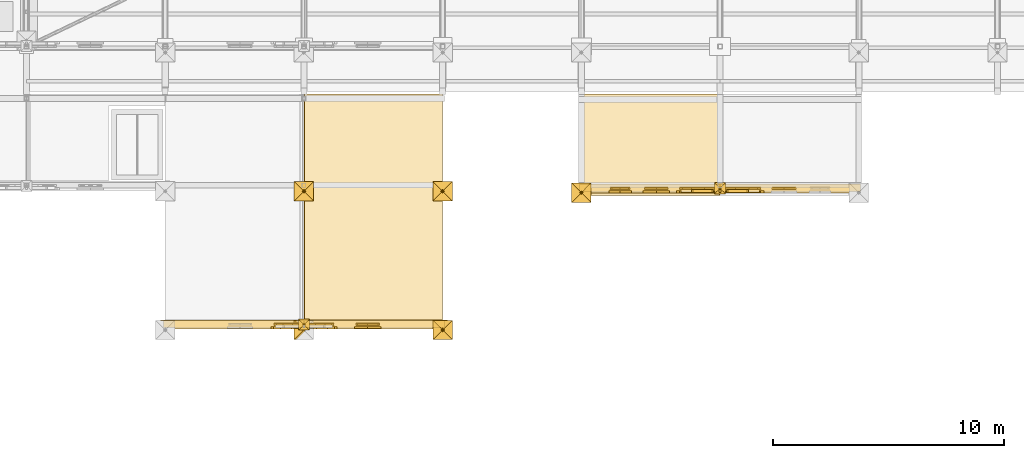
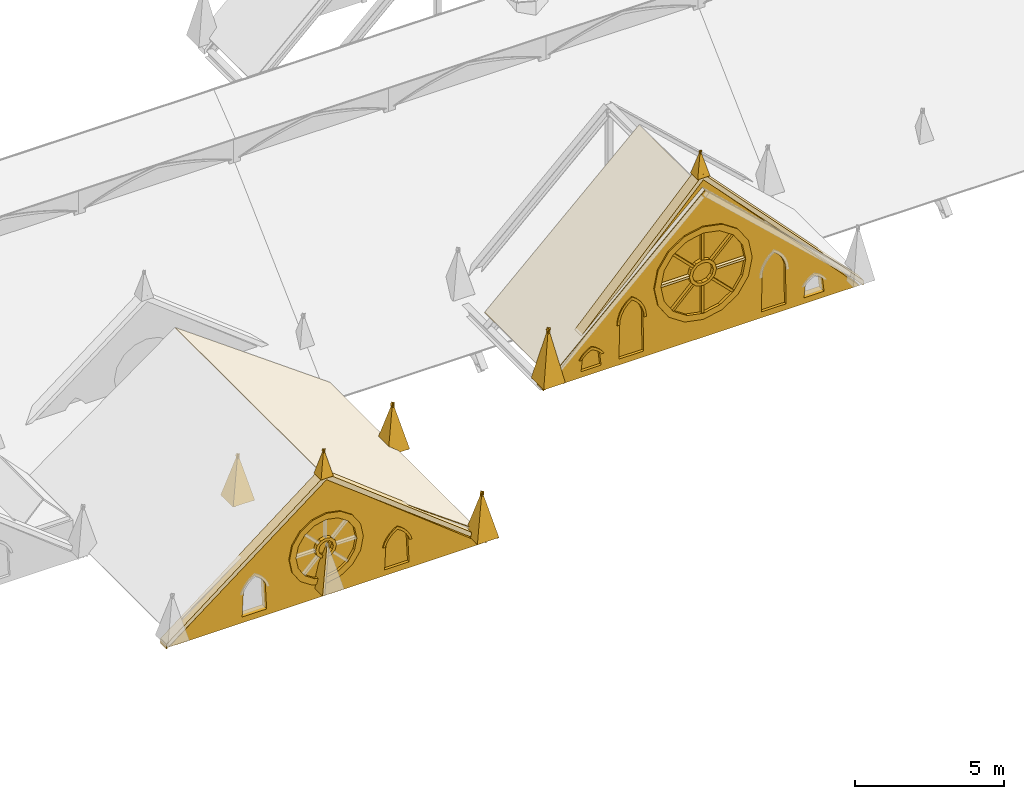
# One storey, part 28 of 33: 52 coverings.
"""IFC4 building model written with IfcOpenShell, lengths in metres."""

from ifc_helpers import new_model, si_unit, direction, frame, origin, place, context, subcontext, project, spatial, polyline, outline, extrude, material, type_object, element, save


model = new_model("IFC4")

# Units and contexts
model_context = context("Model", 3, precision=1e-05, world=origin(), true_north=direction((0.0, 1.0)))
body_context = subcontext(model_context, "Body", "Model", "MODEL_VIEW")
ifc_project = project(units=[si_unit("LENGTHUNIT", "METRE"), si_unit("AREAUNIT", "SQUARE_METRE"), si_unit("VOLUMEUNIT", "CUBIC_METRE"), si_unit("PLANEANGLEUNIT", "RADIAN"), si_unit("MASSUNIT", "GRAM", prefix="KILO")], contexts=[model_context])

# Site, building, storey
site_placement = place(None, origin())
site = spatial("IfcSite", under=ifc_project, at=site_placement, CompositionType="ELEMENT")
building_placement = place(site_placement, origin())
building = spatial("IfcBuilding", under=site, at=building_placement, Name="Cumevento Cable Car Station", CompositionType="ELEMENT")
storey_placement = place(building_placement, frame((0.0, 0.0, 22.5)))
storey = spatial("IfcBuildingStorey", under=building, at=storey_placement, Name="RF", CompositionType="ELEMENT", Elevation=22.5)

# Coverings
ifc_material_1 = material(Name="Standing-Seam Zinc-Titanium Roof Sheet", Category="steel")
covering_type_1 = type_object("IfcCoveringType", Name="Standing-Seam Zinc Roofing CV-RF01", PredefinedType="ROOFING", material=ifc_material_1)
covering_1_placement = place(storey_placement, frame((88.0, 42.949951171875, 1.20361328125), z_axis=(-0.682004625705, 0.0, 0.731347858762), x_axis=(0.0, -1.0, 0.0)))
element("IfcCovering", 1, at=covering_1_placement, inside=storey, type_object=covering_type_1, Name="Standing-Seam Zinc Roof Covering #21", PredefinedType="ROOFING", context=body_context, shape_type="SweptSolid", body=[
    extrude(outline(polyline([(0.0, 0.0), (4.39990234375, 0.0), (4.39990234375, 8.183667115676975), (0.0, 8.183667115676975), (0.0, 0.0)])), origin(), (0.0, 0.0, -1.0), 0.02587890625),
])
covering_2_placement = place(storey_placement, frame((76.014892578125, 42.949951171875, 4.772216796875), z_axis=(0.586959453772, 0.0, 0.809616328657), x_axis=(0.0, -1.0, 0.0)))
element("IfcCovering", 2, at=covering_2_placement, inside=storey, type_object=covering_type_1, Name="Standing-Seam Zinc Roof Covering #32", PredefinedType="ROOFING", context=body_context, shape_type="SweptSolid", body=[
    extrude(outline(polyline([(0.0, 0.0), (9.949951171875, 0.0), (9.949951171875, 7.392523112527002), (0.0, 7.392523112527002), (0.0, 0.0)])), origin(), (0.0, 0.0, -1.0), 0.02587890625),
])
ifc_material_2 = material(Name="Gnaisse Facoidal Stone Ashlar 85 MPa", Category="masonry")
covering_type_2 = type_object("IfcCoveringType", Name="Gnaisse Ashlar Cladding CV-CL01", PredefinedType="CLADDING", material=ifc_material_2)
for number, where, z_axis, x_axis, name in (
    (3, (75.580078125, 32.320068359375, 0.3701171875), (-0.973845107191, 0.0, 0.227212911607), (0.0, 1.0, 0.0), "Gothic Buttress Pinnacle Spire Facet 4 bt:76.0:33.0"),
    (4, (75.580078125, 39.159912109375, 0.3701171875), (0.0, 0.973845107191, 0.227212911607), (1.0, 0.0, 0.0), "Gothic Buttress Pinnacle Spire Facet 1 bt:76.0:39.0"),
    (5, (76.419921875, 39.159912109375, 0.3701171875), (0.973845107191, 0.0, 0.227212911607), (0.0, -1.0, 0.0), "Gothic Buttress Pinnacle Spire Facet 2 bt:76.0:39.0"),
    (6, (76.419921875, 38.320068359375, 0.3701171875), (0.0, -0.973845107191, 0.227212911607), (-1.0, 0.0, 0.0), "Gothic Buttress Pinnacle Spire Facet 3 bt:76.0:39.0"),
    (7, (75.580078125, 38.320068359375, 0.3701171875), (-0.973845107191, 0.0, 0.227212911607), (0.0, 1.0, 0.0), "Gothic Buttress Pinnacle Spire Facet 4 bt:76.0:39.0"),
    (8, (81.580078125, 33.159912109375, 0.3701171875), (0.0, 0.973845107191, 0.227212911607), (1.0, 0.0, 0.0), "Gothic Buttress Pinnacle Spire Facet 1 bt:82.0:33.0"),
    (9, (82.419921875, 33.159912109375, 0.3701171875), (0.973845107191, 0.0, 0.227212911607), (0.0, -1.0, 0.0), "Gothic Buttress Pinnacle Spire Facet 2 bt:82.0:33.0"),
    (10, (82.419921875, 32.320068359375, 0.3701171875), (0.0, -0.973845107191, 0.227212911607), (-1.0, 0.0, 0.0), "Gothic Buttress Pinnacle Spire Facet 3 bt:82.0:33.0"),
    (11, (81.580078125, 32.320068359375, 0.3701171875), (-0.973845107191, 0.0, 0.227212911607), (0.0, 1.0, 0.0), "Gothic Buttress Pinnacle Spire Facet 4 bt:82.0:33.0"),
    (12, (81.580078125, 39.159912109375, 0.3701171875), (0.0, 0.973845107191, 0.227212911607), (1.0, 0.0, 0.0), "Gothic Buttress Pinnacle Spire Facet 1 bt:82.0:39.0"),
    (13, (82.419921875, 39.159912109375, 0.3701171875), (0.973845107191, 0.0, 0.227212911607), (0.0, -1.0, 0.0), "Gothic Buttress Pinnacle Spire Facet 2 bt:82.0:39.0"),
    (14, (82.419921875, 38.320068359375, 0.3701171875), (0.0, -0.973845107191, 0.227212911607), (-1.0, 0.0, 0.0), "Gothic Buttress Pinnacle Spire Facet 3 bt:82.0:39.0"),
    (15, (81.580078125, 38.320068359375, 0.3701171875), (-0.973845107191, 0.0, 0.227212911607), (0.0, 1.0, 0.0), "Gothic Buttress Pinnacle Spire Facet 4 bt:82.0:39.0"),
):
    element("IfcCovering", number, at=place(storey_placement, frame(where, z_axis=z_axis, x_axis=x_axis)), inside=storey, type_object=covering_type_2, Name=name, PredefinedType="CLADDING", context=body_context, shape_type="SweptSolid", body=[
        extrude(outline(polyline([(0.0, 0.0), (0.83984375, 0.0), (0.419921875, -1.848142660686801), (0.0, 0.0)])), origin(), (0.0, 0.0, -1.0), 0.0849609375),
    ])
covering_3_placement = place(storey_placement, frame((87.580078125, 39.10009765625, 1.010009765625), z_axis=(0.0, 0.981432810331, 0.191806253302), x_axis=(1.0, 0.0, 0.0)))
element("IfcCovering", 16, at=covering_3_placement, inside=storey, type_object=covering_type_2, Name="Gothic Buttress Pinnacle Spire Facet 1 ptl_butt_f:2:88", PredefinedType="CLADDING", context=body_context, shape_type="SweptSolid", body=[
    extrude(outline(polyline([(0.0, 0.0), (0.83984375, 0.0), (0.419921875, -2.190575168385676), (0.0, 0.0)])), origin(), (0.0, 0.0, -1.0), 0.0849609375),
])
covering_4_placement = place(storey_placement, frame((88.419921875, 39.10009765625, 1.010009765625), z_axis=(0.981453784896, 0.0, 0.191698899616), x_axis=(0.0, -1.0, 0.0)))
element("IfcCovering", 17, at=covering_4_placement, inside=storey, type_object=covering_type_2, Name="Gothic Buttress Pinnacle Spire Facet 2 ptl_butt_f:2:88", PredefinedType="CLADDING", context=body_context, shape_type="SweptSolid", body=[
    extrude(outline(polyline([(0.0, 0.0), (0.840087890625, 0.0), (0.420166015625, -2.1905283537916733), (0.0, 0.0)])), origin(), (0.0, 0.0, -1.0), 0.0849609375),
])
covering_5_placement = place(storey_placement, frame((88.419921875, 38.260009765625, 1.010009765625), z_axis=(0.0, -0.981453784896, 0.191698899616), x_axis=(-1.0, 0.0, 0.0)))
element("IfcCovering", 18, at=covering_5_placement, inside=storey, type_object=covering_type_2, Name="Gothic Buttress Pinnacle Spire Facet 3 ptl_butt_f:2:88", PredefinedType="CLADDING", context=body_context, shape_type="SweptSolid", body=[
    extrude(outline(polyline([(0.0, 0.0), (0.83984375, 0.0), (0.419921875, -2.1905283537916733), (0.0, 0.0)])), origin(), (0.0, 0.0, -1.0), 0.0849609375),
])
covering_6_placement = place(storey_placement, frame((87.580078125, 38.260009765625, 1.010009765625), z_axis=(-0.981453784896, 0.0, 0.191698899616), x_axis=(0.0, 1.0, 0.0)))
element("IfcCovering", 19, at=covering_6_placement, inside=storey, type_object=covering_type_2, Name="Gothic Buttress Pinnacle Spire Facet 4 ptl_butt_f:2:88", PredefinedType="CLADDING", context=body_context, shape_type="SweptSolid", body=[
    extrude(outline(polyline([(0.0, 0.0), (0.840087890625, 0.0), (0.419921875, -2.1905283537916733), (0.0, 0.0)])), origin(), (0.0, 0.0, -1.0), 0.0849609375),
])
placement_1 = place(storey_placement, frame((100.0, 39.0, 0.699951171875), z_axis=(0.0, 0.0, 1.0), x_axis=(-1.0, 0.0, 0.0)))
element("IfcCovering", 20, at=placement_1, inside=storey, type_object=covering_type_2, Name="Gothic Stone Gable Tympanum ptl_canopy_gable:2", PredefinedType="CLADDING", context=body_context, shape_type="SweptSolid", body=[
    extrude(outline(polyline([(-0.080078125, -0.06005859375), (12.080078125, -0.06005859375), (6.0, 6.429931640625), (-0.080078125, -0.06005859375)]), holes=[polyline([(7.714599609375, 2.603515625), (7.583984375, 3.259521484375), (7.21240234375, 3.81591796875), (6.656005859375, 4.1875), (6.0, 4.318115234375), (5.343994140625, 4.1875), (4.78759765625, 3.81591796875), (4.416015625, 3.259521484375), (4.285400390625, 2.603515625), (4.416015625, 1.947509765625), (4.78759765625, 1.39111328125), (5.343994140625, 1.01953125), (6.0, 0.888916015625), (6.656005859375, 1.01953125), (7.21240234375, 1.39111328125), (7.583984375, 1.947509765625), (7.714599609375, 2.603515625)]), polyline([(2.764892578125, 0.179931640625), (3.715087890625, 0.179931640625), (3.6943359375, 1.80224609375), (3.63330078125, 1.999267578125), (3.534423828125, 2.18017578125), (3.401611328125, 2.337646484375), (3.239990234375, 2.4658203125), (3.078369140625, 2.337646484375), (2.945556640625, 2.18017578125), (2.8466796875, 1.999267578125), (2.78564453125, 1.80224609375), (2.764892578125, 0.179931640625)]), polyline([(8.284912109375, 0.179931640625), (9.235107421875, 0.179931640625), (9.21435546875, 1.80224609375), (9.153564453125, 1.999267578125), (9.054443359375, 2.18017578125), (8.921630859375, 2.337646484375), (8.760009765625, 2.4658203125), (8.598388671875, 2.337646484375), (8.465576171875, 2.18017578125), (8.366455078125, 1.999267578125), (8.3056640625, 1.80224609375), (8.284912109375, 0.179931640625)]), polyline([(1.2900390625, 0.179931640625), (2.070068359375, 0.179931640625), (2.007568359375, 0.74267578125), (1.936279296875, 0.81201171875), (1.857177734375, 0.872314453125), (1.771240234375, 0.9228515625), (1.679931640625, 0.962646484375), (1.5888671875, 0.9228515625), (1.5029296875, 0.872314453125), (1.423828125, 0.81201171875), (1.3525390625, 0.74267578125), (1.2900390625, 0.179931640625)]), polyline([(9.929931640625, 0.179931640625), (10.7099609375, 0.179931640625), (10.6474609375, 0.74267578125), (10.575927734375, 0.81201171875), (10.496826171875, 0.872314453125), (10.4111328125, 0.9228515625), (10.320068359375, 0.962646484375), (10.228759765625, 0.9228515625), (10.14306640625, 0.872314453125), (10.06396484375, 0.81201171875), (9.992431640625, 0.74267578125), (9.929931640625, 0.179931640625)])]), frame((0.0, 0.280029296875, 0.0), z_axis=(0.0, -1.0, 0.0), x_axis=(1.0, 0.0, 0.0)), (0.0, 0.0, 1.0), 0.340087890625),
])
element("IfcCovering", 21, at=placement_1, inside=storey, type_object=covering_type_2, Name="Gothic Gable Recessed Tracery Backing ptl_canopy_gable:2 rose", PredefinedType="CLADDING", context=body_context, shape_type="SweptSolid", body=[
    extrude(outline(polyline([(7.75439453125, 2.603515625), (7.620849609375, 3.27490234375), (7.24072265625, 3.84423828125), (6.67138671875, 4.224365234375), (6.0, 4.35791015625), (5.32861328125, 4.224365234375), (4.75927734375, 3.84423828125), (4.379150390625, 3.27490234375), (4.24560546875, 2.603515625), (4.379150390625, 1.93212890625), (4.75927734375, 1.36279296875), (5.32861328125, 0.982666015625), (6.0, 0.84912109375), (6.67138671875, 0.982666015625), (7.24072265625, 1.36279296875), (7.620849609375, 1.93212890625), (7.75439453125, 2.603515625)])), frame((0.0, 0.169921875, 0.0), z_axis=(0.0, -1.0, 0.0), x_axis=(1.0, 0.0, 0.0)), (0.0, 0.0, 1.0), 0.074951171875),
])
element("IfcCovering", 22, at=placement_1, inside=storey, type_object=covering_type_2, Name="Gothic Gable Recessed Tracery Backing ptl_canopy_gable:2 lancet_0", PredefinedType="CLADDING", context=body_context, shape_type="SweptSolid", body=[
    extrude(outline(polyline([(2.735107421875, 0.14990234375), (3.7451171875, 0.14990234375), (3.722900390625, 1.810302734375), (3.65771484375, 2.013427734375), (3.55224609375, 2.19873046875), (3.4111328125, 2.3583984375), (3.239990234375, 2.48583984375), (3.06884765625, 2.3583984375), (2.927734375, 2.19873046875), (2.822265625, 2.013427734375), (2.757080078125, 1.810302734375), (2.735107421875, 0.14990234375)])), frame((0.0, 0.169921875, 0.0), z_axis=(0.0, -1.0, 0.0), x_axis=(1.0, 0.0, 0.0)), (0.0, 0.0, 1.0), 0.074951171875),
])
element("IfcCovering", 23, at=placement_1, inside=storey, type_object=covering_type_2, Name="Gothic Gable Recessed Tracery Backing ptl_canopy_gable:2 lancet_1", PredefinedType="CLADDING", context=body_context, shape_type="SweptSolid", body=[
    extrude(outline(polyline([(8.2548828125, 0.14990234375), (9.264892578125, 0.14990234375), (9.242919921875, 1.810302734375), (9.177978515625, 2.013427734375), (9.072509765625, 2.19873046875), (8.93115234375, 2.3583984375), (8.760009765625, 2.48583984375), (8.5888671875, 2.3583984375), (8.447509765625, 2.19873046875), (8.342041015625, 2.013427734375), (8.277099609375, 1.810302734375), (8.2548828125, 0.14990234375)])), frame((0.0, 0.169921875, 0.0), z_axis=(0.0, -1.0, 0.0), x_axis=(1.0, 0.0, 0.0)), (0.0, 0.0, 1.0), 0.074951171875),
])
element("IfcCovering", 24, at=placement_1, inside=storey, type_object=covering_type_2, Name="Gothic Gable Recessed Tracery Backing ptl_canopy_gable:2 lancet_3", PredefinedType="CLADDING", context=body_context, shape_type="SweptSolid", body=[
    extrude(outline(polyline([(9.89990234375, 0.14990234375), (10.739990234375, 0.14990234375), (10.672119140625, 0.748779296875), (10.59521484375, 0.822509765625), (10.510009765625, 0.88671875), (10.417724609375, 0.9404296875), (10.320068359375, 0.982666015625), (10.22216796875, 0.9404296875), (10.1298828125, 0.88671875), (10.044677734375, 0.822509765625), (9.9677734375, 0.748779296875), (9.89990234375, 0.14990234375)])), frame((0.0, 0.169921875, 0.0), z_axis=(0.0, -1.0, 0.0), x_axis=(1.0, 0.0, 0.0)), (0.0, 0.0, 1.0), 0.074951171875),
])
element("IfcCovering", 25, at=placement_1, inside=storey, type_object=covering_type_2, Name="Gothic 16-Sided Stone Rose Window Ring ptl_canopy_gable:2", PredefinedType="CLADDING", context=body_context, shape_type="SweptSolid", body=[
    extrude(outline(polyline([(7.89453125, 2.603515625), (7.750244140625, 3.32861328125), (7.339599609375, 3.943115234375), (6.72509765625, 4.353759765625), (6.0, 4.498046875), (5.27490234375, 4.353759765625), (4.660400390625, 3.943115234375), (4.249755859375, 3.32861328125), (4.10546875, 2.603515625), (4.249755859375, 1.87841796875), (4.660400390625, 1.263916015625), (5.27490234375, 0.853271484375), (6.0, 0.708984375), (6.72509765625, 0.853271484375), (7.339599609375, 1.263916015625), (7.750244140625, 1.87841796875), (7.89453125, 2.603515625)]), holes=[polyline([(7.64453125, 2.603515625), (7.519287109375, 3.23291015625), (7.162841796875, 3.766357421875), (6.62939453125, 4.122802734375), (6.0, 4.248046875), (5.37060546875, 4.122802734375), (4.837158203125, 3.766357421875), (4.480712890625, 3.23291015625), (4.35546875, 2.603515625), (4.480712890625, 1.97412109375), (4.837158203125, 1.440673828125), (5.37060546875, 1.084228515625), (6.0, 0.958984375), (6.62939453125, 1.084228515625), (7.162841796875, 1.440673828125), (7.519287109375, 1.97412109375), (7.64453125, 2.603515625)])]), frame((0.0, 0.3349609375, 0.0), z_axis=(0.0, -1.0, 0.0), x_axis=(1.0, 0.0, 0.0)), (0.0, 0.0, 1.0), 0.110107421875),
])
element("IfcCovering", 26, at=placement_1, inside=storey, type_object=covering_type_2, Name="Gothic Rose Central Stone Oculus Hub ptl_canopy_gable:2", PredefinedType="CLADDING", context=body_context, shape_type="SweptSolid", body=[
    extrude(outline(polyline([(6.52587890625, 2.603515625), (6.455322265625, 2.866455078125), (6.262939453125, 3.058837890625), (6.0, 3.12939453125), (5.737060546875, 3.058837890625), (5.544677734375, 2.866455078125), (5.47412109375, 2.603515625), (5.544677734375, 2.340576171875), (5.737060546875, 2.148193359375), (6.0, 2.07763671875), (6.262939453125, 2.148193359375), (6.455322265625, 2.340576171875), (6.52587890625, 2.603515625)]), holes=[polyline([(6.40576171875, 2.603515625), (6.351318359375, 2.806396484375), (6.202880859375, 2.954833984375), (6.0, 3.00927734375), (5.797119140625, 2.954833984375), (5.648681640625, 2.806396484375), (5.59423828125, 2.603515625), (5.648681640625, 2.400634765625), (5.797119140625, 2.251953125), (6.0, 2.19775390625), (6.202880859375, 2.251953125), (6.351318359375, 2.400634765625), (6.40576171875, 2.603515625)])]), frame((0.0, 0.31005859375, 0.0), z_axis=(0.0, -1.0, 0.0), x_axis=(1.0, 0.0, 0.0)), (0.0, 0.0, 1.0), 0.139892578125),
])
element("IfcCovering", 27, at=placement_1, inside=storey, type_object=covering_type_2, Name="Gothic Rose Stone Tracery Mullion ptl_canopy_gable:2 #1", PredefinedType="CLADDING", context=body_context, shape_type="SweptSolid", body=[
    extrude(outline(polyline([(6.475830078125, 2.6484375), (7.694580078125, 2.6484375), (7.694580078125, 2.55859375), (6.475830078125, 2.55859375), (6.475830078125, 2.6484375)])), frame((0.0, 0.304931640625, 0.0), z_axis=(0.0, -1.0, 0.0), x_axis=(1.0, 0.0, 0.0)), (0.0, 0.0, 1.0), 0.1298828125),
])
element("IfcCovering", 28, at=placement_1, inside=storey, type_object=covering_type_2, Name="Gothic Rose Stone Tracery Mullion ptl_canopy_gable:2 #2", PredefinedType="CLADDING", context=body_context, shape_type="SweptSolid", body=[
    extrude(outline(polyline([(6.3046875, 2.9716796875), (7.166259765625, 3.83349609375), (7.22998046875, 3.769775390625), (6.3681640625, 2.908203125), (6.3046875, 2.9716796875)])), frame((0.0, 0.304931640625, 0.0), z_axis=(0.0, -1.0, 0.0), x_axis=(1.0, 0.0, 0.0)), (0.0, 0.0, 1.0), 0.1298828125),
])
element("IfcCovering", 29, at=placement_1, inside=storey, type_object=covering_type_2, Name="Gothic Rose Stone Tracery Mullion ptl_canopy_gable:2 #3", PredefinedType="CLADDING", context=body_context, shape_type="SweptSolid", body=[
    extrude(outline(polyline([(5.955078125, 3.079345703125), (5.955078125, 4.298095703125), (6.044921875, 4.298095703125), (6.044921875, 3.079345703125), (5.955078125, 3.079345703125)])), frame((0.0, 0.304931640625, 0.0), z_axis=(0.0, -1.0, 0.0), x_axis=(1.0, 0.0, 0.0)), (0.0, 0.0, 1.0), 0.1298828125),
])
element("IfcCovering", 30, at=placement_1, inside=storey, type_object=covering_type_2, Name="Gothic Rose Stone Tracery Mullion ptl_canopy_gable:2 #4", PredefinedType="CLADDING", context=body_context, shape_type="SweptSolid", body=[
    extrude(outline(polyline([(5.6318359375, 2.908203125), (4.77001953125, 3.769775390625), (4.833740234375, 3.83349609375), (5.6953125, 2.9716796875), (5.6318359375, 2.908203125)])), frame((0.0, 0.304931640625, 0.0), z_axis=(0.0, -1.0, 0.0), x_axis=(1.0, 0.0, 0.0)), (0.0, 0.0, 1.0), 0.1298828125),
])
element("IfcCovering", 31, at=placement_1, inside=storey, type_object=covering_type_2, Name="Gothic Rose Stone Tracery Mullion ptl_canopy_gable:2 #5", PredefinedType="CLADDING", context=body_context, shape_type="SweptSolid", body=[
    extrude(outline(polyline([(5.524169921875, 2.55859375), (4.305419921875, 2.55859375), (4.305419921875, 2.6484375), (5.524169921875, 2.6484375), (5.524169921875, 2.55859375)])), frame((0.0, 0.304931640625, 0.0), z_axis=(0.0, -1.0, 0.0), x_axis=(1.0, 0.0, 0.0)), (0.0, 0.0, 1.0), 0.1298828125),
])
element("IfcCovering", 32, at=placement_1, inside=storey, type_object=covering_type_2, Name="Gothic Rose Stone Tracery Mullion ptl_canopy_gable:2 #6", PredefinedType="CLADDING", context=body_context, shape_type="SweptSolid", body=[
    extrude(outline(polyline([(5.6953125, 2.2353515625), (4.833740234375, 1.37353515625), (4.77001953125, 1.43701171875), (5.6318359375, 2.298828125), (5.6953125, 2.2353515625)])), frame((0.0, 0.304931640625, 0.0), z_axis=(0.0, -1.0, 0.0), x_axis=(1.0, 0.0, 0.0)), (0.0, 0.0, 1.0), 0.1298828125),
])
element("IfcCovering", 33, at=placement_1, inside=storey, type_object=covering_type_2, Name="Gothic Rose Stone Tracery Mullion ptl_canopy_gable:2 #7", PredefinedType="CLADDING", context=body_context, shape_type="SweptSolid", body=[
    extrude(outline(polyline([(6.044921875, 2.127685546875), (6.044921875, 0.908935546875), (5.955078125, 0.908935546875), (5.955078125, 2.127685546875), (6.044921875, 2.127685546875)])), frame((0.0, 0.304931640625, 0.0), z_axis=(0.0, -1.0, 0.0), x_axis=(1.0, 0.0, 0.0)), (0.0, 0.0, 1.0), 0.1298828125),
])
element("IfcCovering", 34, at=placement_1, inside=storey, type_object=covering_type_2, Name="Gothic Rose Stone Tracery Mullion ptl_canopy_gable:2 #8", PredefinedType="CLADDING", context=body_context, shape_type="SweptSolid", body=[
    extrude(outline(polyline([(6.3681640625, 2.298828125), (7.22998046875, 1.43701171875), (7.166259765625, 1.37353515625), (6.3046875, 2.2353515625), (6.3681640625, 2.298828125)])), frame((0.0, 0.304931640625, 0.0), z_axis=(0.0, -1.0, 0.0), x_axis=(1.0, 0.0, 0.0)), (0.0, 0.0, 1.0), 0.1298828125),
])
element("IfcCovering", 35, at=placement_1, inside=storey, type_object=covering_type_2, Name="Gable Lancet Stone Hood Moulding ptl_canopy_gable:2 #2", PredefinedType="CLADDING", context=body_context, shape_type="SweptSolid", body=[
    extrude(outline(polyline([(8.284912109375, 1.59716796875), (8.3056640625, 1.80224609375), (8.366455078125, 1.999267578125), (8.465576171875, 2.18017578125), (8.598388671875, 2.337646484375), (8.760009765625, 2.4658203125), (8.921630859375, 2.337646484375), (9.054443359375, 2.18017578125), (9.153564453125, 1.999267578125), (9.21435546875, 1.80224609375), (9.235107421875, 1.59716796875), (9.324951171875, 1.59716796875), (9.30029296875, 1.833740234375), (9.2275390625, 2.06005859375), (9.109375, 2.2666015625), (8.951416015625, 2.4443359375), (8.760009765625, 2.585693359375), (8.568603515625, 2.4443359375), (8.41064453125, 2.2666015625), (8.29248046875, 2.06005859375), (8.2197265625, 1.833740234375), (8.195068359375, 1.59716796875), (8.284912109375, 1.59716796875)])), frame((0.0, 0.324951171875, 0.0), z_axis=(0.0, -1.0, 0.0), x_axis=(1.0, 0.0, 0.0)), (0.0, 0.0, 1.0), 0.090087890625),
])
element("IfcCovering", 36, at=placement_1, inside=storey, type_object=covering_type_2, Name="Gable Lancet Stone Hood Moulding ptl_canopy_gable:2 #4", PredefinedType="CLADDING", context=body_context, shape_type="SweptSolid", body=[
    extrude(outline(polyline([(9.929931640625, 0.665283203125), (9.992431640625, 0.74267578125), (10.06396484375, 0.81201171875), (10.14306640625, 0.872314453125), (10.228759765625, 0.9228515625), (10.320068359375, 0.962646484375), (10.4111328125, 0.9228515625), (10.496826171875, 0.872314453125), (10.575927734375, 0.81201171875), (10.6474609375, 0.74267578125), (10.7099609375, 0.665283203125), (10.800048828125, 0.665283203125), (10.727783203125, 0.772705078125), (10.64208984375, 0.869873046875), (10.54443359375, 0.954833984375), (10.436279296875, 1.026123046875), (10.320068359375, 1.082763671875), (10.20361328125, 1.026123046875), (10.095458984375, 0.954833984375), (9.997802734375, 0.869873046875), (9.912109375, 0.772705078125), (9.840087890625, 0.665283203125), (9.929931640625, 0.665283203125)])), frame((0.0, 0.324951171875, 0.0), z_axis=(0.0, -1.0, 0.0), x_axis=(1.0, 0.0, 0.0)), (0.0, 0.0, 1.0), 0.090087890625),
])
element("IfcCovering", 37, at=placement_1, inside=storey, type_object=covering_type_2, Name="Raking Gothic Stone Gable Coping ptl_canopy_gable:2", PredefinedType="CLADDING", context=body_context, shape_type="SweptSolid", body=[
    extrude(outline(polyline([(-0.199951171875, -0.06005859375), (6.0, 6.429931640625), (12.199951171875, -0.06005859375), (12.199951171875, 0.139892578125), (6.0, 6.669921875), (-0.199951171875, 0.139892578125), (-0.199951171875, -0.06005859375)])), frame((0.0, 0.340087890625, 0.0), z_axis=(0.0, -1.0, 0.0), x_axis=(1.0, 0.0, 0.0)), (0.0, 0.0, 1.0), 0.43994140625),
])
covering_25_placement = place(storey_placement, frame((94.239990234375, 39.110107421875, 7.22998046875), z_axis=(0.0, 0.971851768579, 0.235593166094), x_axis=(-1.0, 0.0, 0.0)))
element("IfcCovering", 38, at=covering_25_placement, inside=storey, type_object=covering_type_2, Name="Gothic Gable Finial Spire Facet 1 ptl_canopy_gable:2", PredefinedType="CLADDING", context=body_context, shape_type="SweptSolid", body=[
    extrude(outline(polyline([(0.0, 0.0), (0.47998046875, 0.0), (0.239990234375, 1.0186638193011641), (0.0, 0.0)])), origin(), (0.0, 0.0, -1.0), 0.06494140625),
])
covering_26_placement = place(storey_placement, frame((93.760009765625, 39.110107421875, 7.22998046875), z_axis=(-0.971851768579, 0.0, 0.235593166094), x_axis=(0.0, -1.0, 0.0)))
element("IfcCovering", 39, at=covering_26_placement, inside=storey, type_object=covering_type_2, Name="Gothic Gable Finial Spire Facet 2 ptl_canopy_gable:2", PredefinedType="CLADDING", context=body_context, shape_type="SweptSolid", body=[
    extrude(outline(polyline([(0.0, 0.0), (0.480224609375, 0.0), (0.239990234375, 1.0186638193011641), (0.0, 0.0)])), origin(), (0.0, 0.0, -1.0), 0.06494140625),
])
covering_27_placement = place(storey_placement, frame((93.760009765625, 38.6298828125, 7.22998046875), z_axis=(0.0, -0.971796870653, 0.235819511892), x_axis=(1.0, 0.0, 0.0)))
element("IfcCovering", 40, at=covering_27_placement, inside=storey, type_object=covering_type_2, Name="Gothic Gable Finial Spire Facet 3 ptl_canopy_gable:2", PredefinedType="CLADDING", context=body_context, shape_type="SweptSolid", body=[
    extrude(outline(polyline([(0.0, 0.0), (0.47998046875, 0.0), (0.239990234375, 1.0187213647948627), (0.0, 0.0)])), origin(), (0.0, 0.0, -1.0), 0.06494140625),
])
covering_28_placement = place(storey_placement, frame((94.239990234375, 38.6298828125, 7.22998046875), z_axis=(0.971851768579, 0.0, 0.235593166094), x_axis=(0.0, 1.0, 0.0)))
element("IfcCovering", 41, at=covering_28_placement, inside=storey, type_object=covering_type_2, Name="Gothic Gable Finial Spire Facet 4 ptl_canopy_gable:2", PredefinedType="CLADDING", context=body_context, shape_type="SweptSolid", body=[
    extrude(outline(polyline([(0.0, 0.0), (0.480224609375, 0.0), (0.240234375, 1.0186638193011641), (0.0, 0.0)])), origin(), (0.0, 0.0, -1.0), 0.06494140625),
])
placement_2 = place(storey_placement, frame((82.0, 33.0, 0.0), z_axis=(0.0, 0.0, 1.0), x_axis=(-1.0, 0.0, 0.0)))
element("IfcCovering", 42, at=placement_2, inside=storey, type_object=covering_type_2, Name="Gothic Stone Gable Tympanum wing_B_V2d_S", PredefinedType="CLADDING", context=body_context, shape_type="SweptSolid", body=[
    extrude(outline(polyline([(-0.080078125, -0.06005859375), (12.080078125, -0.06005859375), (6.0, 4.7099609375), (-0.080078125, -0.06005859375)]), holes=[polyline([(7.25, 1.898193359375), (7.155029296875, 2.376708984375), (6.884033203125, 2.7822265625), (6.478271484375, 3.05322265625), (6.0, 3.1484375), (5.521728515625, 3.05322265625), (5.115966796875, 2.7822265625), (4.844970703125, 2.376708984375), (4.75, 1.898193359375), (4.844970703125, 1.419921875), (5.115966796875, 1.014404296875), (5.521728515625, 0.743408203125), (6.0, 0.648193359375), (6.478271484375, 0.743408203125), (6.884033203125, 1.014404296875), (7.155029296875, 1.419921875), (7.25, 1.898193359375)]), polyline([(2.764892578125, 0.179931640625), (3.715087890625, 0.179931640625), (3.660400390625, 1.26611328125), (3.583251953125, 1.399169921875), (3.48583984375, 1.517822265625), (3.370361328125, 1.619140625), (3.239990234375, 1.700439453125), (3.109619140625, 1.619140625), (2.994140625, 1.517822265625), (2.896728515625, 1.399169921875), (2.819580078125, 1.26611328125), (2.764892578125, 0.179931640625)]), polyline([(8.284912109375, 0.179931640625), (9.235107421875, 0.179931640625), (9.180419921875, 1.26611328125), (9.103271484375, 1.399169921875), (9.005859375, 1.517822265625), (8.890380859375, 1.619140625), (8.760009765625, 1.700439453125), (8.629638671875, 1.619140625), (8.51416015625, 1.517822265625), (8.416748046875, 1.399169921875), (8.339599609375, 1.26611328125), (8.284912109375, 0.179931640625)])]), frame((0.0, 0.159912109375, 0.0), z_axis=(0.0, -1.0, 0.0), x_axis=(1.0, 0.0, 0.0)), (0.0, 0.0, 1.0), 0.300048828125),
])
element("IfcCovering", 43, at=placement_2, inside=storey, type_object=covering_type_2, Name="Gothic Gable Recessed Tracery Backing wing_B_V2d_S rose", PredefinedType="CLADDING", context=body_context, shape_type="SweptSolid", body=[
    extrude(outline(polyline([(7.2900390625, 1.898193359375), (7.19189453125, 2.39208984375), (6.912353515625, 2.810546875), (6.49365234375, 3.090087890625), (6.0, 3.1884765625), (5.50634765625, 3.090087890625), (5.087646484375, 2.810546875), (4.80810546875, 2.39208984375), (4.7099609375, 1.898193359375), (4.80810546875, 1.404541015625), (5.087646484375, 0.986083984375), (5.50634765625, 0.706298828125), (6.0, 0.608154296875), (6.49365234375, 0.706298828125), (6.912353515625, 0.986083984375), (7.19189453125, 1.404541015625), (7.2900390625, 1.898193359375)])), frame((0.0, 0.050048828125, 0.0), z_axis=(0.0, -1.0, 0.0), x_axis=(1.0, 0.0, 0.0)), (0.0, 0.0, 1.0), 0.074951171875),
])
element("IfcCovering", 44, at=placement_2, inside=storey, type_object=covering_type_2, Name="Gothic Gable Recessed Tracery Backing wing_B_V2d_S lancet_0", PredefinedType="CLADDING", context=body_context, shape_type="SweptSolid", body=[
    extrude(outline(polyline([(2.735107421875, 0.14990234375), (3.7451171875, 0.14990234375), (3.68505859375, 1.2724609375), (3.602294921875, 1.409912109375), (3.49853515625, 1.5322265625), (3.376953125, 1.63671875), (3.239990234375, 1.720458984375), (3.10302734375, 1.63671875), (2.9814453125, 1.5322265625), (2.877685546875, 1.409912109375), (2.794921875, 1.2724609375), (2.735107421875, 0.14990234375)])), frame((0.0, 0.050048828125, 0.0), z_axis=(0.0, -1.0, 0.0), x_axis=(1.0, 0.0, 0.0)), (0.0, 0.0, 1.0), 0.074951171875),
])
element("IfcCovering", 45, at=placement_2, inside=storey, type_object=covering_type_2, Name="Gothic 16-Sided Stone Rose Window Ring wing_B_V2d_S", PredefinedType="CLADDING", context=body_context, shape_type="SweptSolid", body=[
    extrude(outline(polyline([(7.43017578125, 1.898193359375), (7.3212890625, 2.445556640625), (7.01123046875, 2.909423828125), (6.54736328125, 3.219482421875), (6.0, 3.328369140625), (5.45263671875, 3.219482421875), (4.98876953125, 2.909423828125), (4.6787109375, 2.445556640625), (4.56982421875, 1.898193359375), (4.6787109375, 1.35107421875), (4.98876953125, 0.886962890625), (5.45263671875, 0.5771484375), (6.0, 0.46826171875), (6.54736328125, 0.5771484375), (7.01123046875, 0.886962890625), (7.3212890625, 1.35107421875), (7.43017578125, 1.898193359375)]), holes=[polyline([(7.18017578125, 1.898193359375), (7.09033203125, 2.349853515625), (6.83447265625, 2.732666015625), (6.45166015625, 2.988525390625), (6.0, 3.078369140625), (5.54833984375, 2.988525390625), (5.16552734375, 2.732666015625), (4.90966796875, 2.349853515625), (4.81982421875, 1.898193359375), (4.90966796875, 1.44677734375), (5.16552734375, 1.06396484375), (5.54833984375, 0.80810546875), (6.0, 0.71826171875), (6.45166015625, 0.80810546875), (6.83447265625, 1.06396484375), (7.09033203125, 1.44677734375), (7.18017578125, 1.898193359375)])]), frame((0.0, 0.215087890625, 0.0), z_axis=(0.0, -1.0, 0.0), x_axis=(1.0, 0.0, 0.0)), (0.0, 0.0, 1.0), 0.110107421875),
])
element("IfcCovering", 46, at=placement_2, inside=storey, type_object=covering_type_2, Name="Gothic Rose Central Stone Oculus Hub wing_B_V2d_S", PredefinedType="CLADDING", context=body_context, shape_type="SweptSolid", body=[
    extrude(outline(polyline([(6.405029296875, 1.898193359375), (6.350830078125, 2.100830078125), (6.202392578125, 2.2490234375), (6.0, 2.30322265625), (5.797607421875, 2.2490234375), (5.649169921875, 2.100830078125), (5.594970703125, 1.898193359375), (5.649169921875, 1.69580078125), (5.797607421875, 1.547607421875), (6.0, 1.493408203125), (6.202392578125, 1.547607421875), (6.350830078125, 1.69580078125), (6.405029296875, 1.898193359375)]), holes=[polyline([(6.284912109375, 1.898193359375), (6.246826171875, 2.040771484375), (6.142578125, 2.14501953125), (6.0, 2.183349609375), (5.857421875, 2.14501953125), (5.753173828125, 2.040771484375), (5.715087890625, 1.898193359375), (5.753173828125, 1.755859375), (5.857421875, 1.6513671875), (6.0, 1.61328125), (6.142578125, 1.6513671875), (6.246826171875, 1.755859375), (6.284912109375, 1.898193359375)])]), frame((0.0, 0.18994140625, 0.0), z_axis=(0.0, -1.0, 0.0), x_axis=(1.0, 0.0, 0.0)), (0.0, 0.0, 1.0), 0.139892578125),
])
element("IfcCovering", 47, at=placement_2, inside=storey, type_object=covering_type_2, Name="Gable Lancet Stone Hood Moulding wing_B_V2d_S #1", PredefinedType="CLADDING", context=body_context, shape_type="SweptSolid", body=[
    extrude(outline(polyline([(2.764892578125, 1.12255859375), (2.819580078125, 1.26611328125), (2.896728515625, 1.399169921875), (2.994140625, 1.517822265625), (3.109619140625, 1.619140625), (3.239990234375, 1.700439453125), (3.370361328125, 1.619140625), (3.48583984375, 1.517822265625), (3.583251953125, 1.399169921875), (3.660400390625, 1.26611328125), (3.715087890625, 1.12255859375), (3.804931640625, 1.12255859375), (3.7412109375, 1.295654296875), (3.650146484375, 1.4560546875), (3.533935546875, 1.599365234375), (3.39599609375, 1.721923828125), (3.239990234375, 1.8203125), (3.083984375, 1.721923828125), (2.946044921875, 1.599365234375), (2.829833984375, 1.4560546875), (2.73876953125, 1.295654296875), (2.675048828125, 1.12255859375), (2.764892578125, 1.12255859375)])), frame((0.0, 0.205078125, 0.0), z_axis=(0.0, -1.0, 0.0), x_axis=(1.0, 0.0, 0.0)), (0.0, 0.0, 1.0), 0.090087890625),
])
element("IfcCovering", 48, at=placement_2, inside=storey, type_object=covering_type_2, Name="Raking Gothic Stone Gable Coping wing_B_V2d_S", PredefinedType="CLADDING", context=body_context, shape_type="SweptSolid", body=[
    extrude(outline(polyline([(-0.199951171875, -0.06005859375), (6.0, 4.7099609375), (12.199951171875, -0.06005859375), (12.199951171875, 0.139892578125), (6.0, 4.949951171875), (-0.199951171875, 0.139892578125), (-0.199951171875, -0.06005859375)])), frame((0.0, 0.219970703125, 0.0), z_axis=(0.0, -1.0, 0.0), x_axis=(1.0, 0.0, 0.0)), (0.0, 0.0, 1.0), 0.39990234375),
])
for number, where, z_axis, x_axis, name in (
    (49, (76.239990234375, 33.2099609375, 4.81005859375), (0.0, 0.97486272659, 0.222806338116), (-1.0, 0.0, 0.0), "Gothic Gable Finial Spire Facet 1 wing_B_V2d_S"),
    (50, (75.760009765625, 33.2099609375, 4.81005859375), (-0.97486272659, 0.0, 0.222806338116), (0.0, -1.0, 0.0), "Gothic Gable Finial Spire Facet 2 wing_B_V2d_S"),
    (51, (75.760009765625, 32.72998046875, 4.81005859375), (0.0, -0.97486272659, 0.222806338116), (1.0, 0.0, 0.0), "Gothic Gable Finial Spire Facet 3 wing_B_V2d_S"),
    (52, (76.239990234375, 32.72998046875, 4.81005859375), (0.97486272659, 0.0, 0.222806338116), (0.0, 1.0, 0.0), "Gothic Gable Finial Spire Facet 4 wing_B_V2d_S"),
):
    element("IfcCovering", number, at=place(storey_placement, frame(where, z_axis=z_axis, x_axis=x_axis)), inside=storey, type_object=covering_type_2, Name=name, PredefinedType="CLADDING", context=body_context, shape_type="SweptSolid", body=[
        extrude(outline(polyline([(0.0, 0.0), (0.47998046875, 0.0), (0.239990234375, 1.0771248089437238), (0.0, 0.0)])), origin(), (0.0, 0.0, -1.0), 0.06494140625),
    ])

save(model, "model.ifc")
